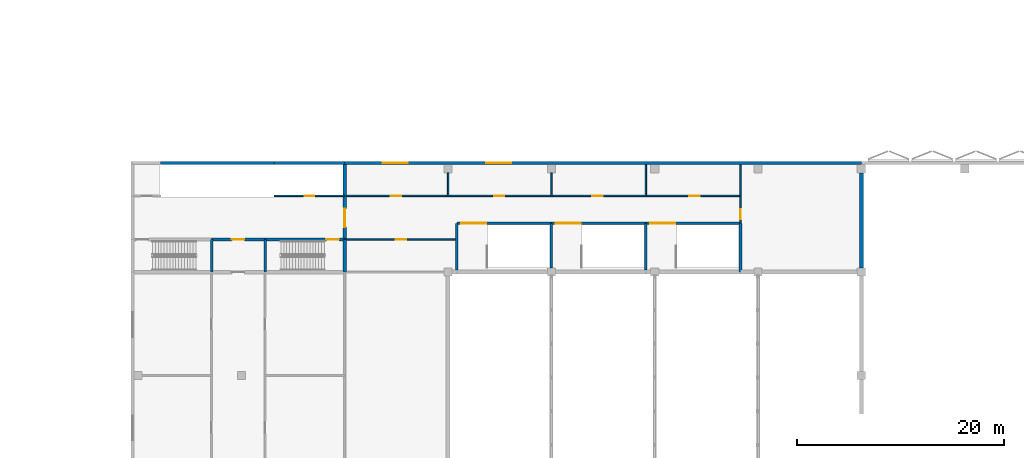
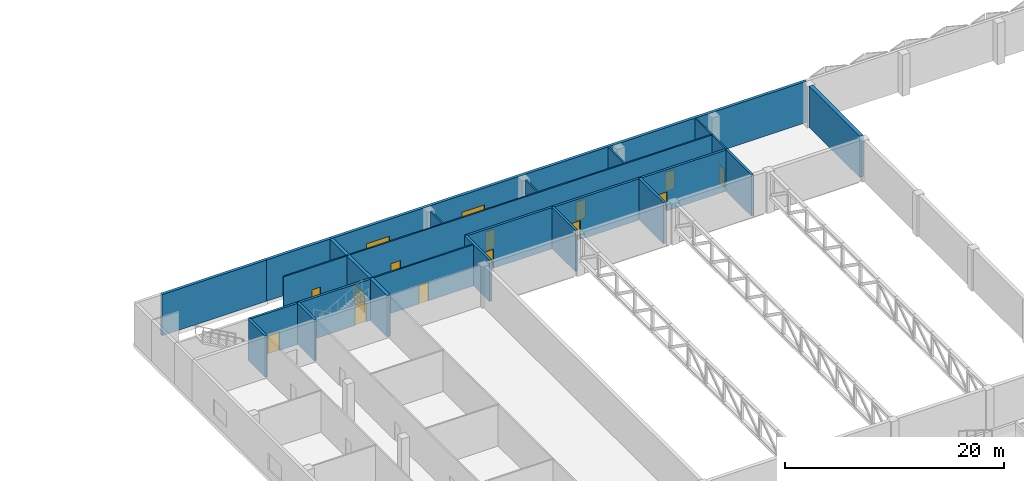
# One storey, part 19 of 36: 25 walls, 13 doors, 2 windows, 15 openings.
"""IFC4 building model written with IfcOpenShell, lengths in metres."""

from ifc_helpers import new_model, si_unit, direction, frame, frame_2d, origin, place, context, subcontext, project, spatial, rectangle, extrude, material, layer, layer_set, type_object, element, fill, save


model = new_model("IFC4")

# Units and contexts
model_context = context("Model", 3, precision=1e-05, world=origin(), true_north=direction((0.0, 1.0)))
body_context = subcontext(model_context, "Body", "Model", "MODEL_VIEW")
ifc_project = project(units=[si_unit("LENGTHUNIT", "METRE"), si_unit("AREAUNIT", "SQUARE_METRE"), si_unit("VOLUMEUNIT", "CUBIC_METRE"), si_unit("PLANEANGLEUNIT", "RADIAN"), si_unit("MASSUNIT", "GRAM", prefix="KILO")], contexts=[model_context])

# Site, building, storey
site_placement = place(None, origin())
site = spatial("IfcSite", under=ifc_project, at=site_placement, CompositionType="ELEMENT")
building_placement = place(site_placement, origin())
building = spatial("IfcBuilding", under=site, at=building_placement, Name="Jabali Bay Hotel Tower and Convention Centre", CompositionType="ELEMENT")
storey_placement = place(building_placement, frame((0.0, 0.0, 20.39990234375)))
storey = spatial("IfcBuildingStorey", under=building, at=storey_placement, Name="L03", CompositionType="ELEMENT", Elevation=20.39990234375)

# Wall
ifc_material_1 = material(Name="Concrete C60", Category="concrete")
ifc_layer_1 = layer(ifc_material_1, 0.35009765625)
ifc_layer_set_1 = layer_set([ifc_layer_1], Name="Concrete C60")
wall_type_1 = type_object("IfcWallType", Name="CC Core Wall 350", PredefinedType="SHEAR", material=ifc_layer_set_1)
wall_1_placement = place(storey_placement, frame((170.699951171875, 100.0, 0.0), z_axis=(0.0, 0.0, 1.0), x_axis=(0.0, 1.0, 0.0)))
element("IfcWall", 1, at=wall_1_placement, inside=storey, type_object=wall_type_1, Name="CC west core wall", PredefinedType="SHEAR", context=body_context, shape_type="SweptSolid", body=[
    extrude(rectangle(XDim=3.14990234375, YDim=0.35009765625, at=frame_2d((1.574951171875, 0.0))), origin(), (0.0, 0.0, 1.0), 4.590087890625),
])

# Wall, opening, door
wall_2_placement = place(storey_placement, frame((170.699951171875, 103.14990234375, 0.0), z_axis=(0.0, 0.0, 1.0), x_axis=(0.0, 1.0, 0.0)))
wall_2 = element("IfcWall", 2, at=wall_2_placement, inside=storey, type_object=wall_type_1, Name="CC west core wall", PredefinedType="SHEAR", context=body_context, shape_type="SweptSolid", body=[
    extrude(rectangle(XDim=7.25, YDim=0.35009765625, at=frame_2d((3.625, 0.0))), origin(), (0.0, 0.0, 1.0), 4.590087890625),
])
opening_1_placement = place(wall_2_placement, frame((1.199951171875, 0.0, 0.0)))
opening_1 = element("IfcOpeningElement", 3, at=opening_1_placement, cuts=wall_2, Name="Opening CC-D067", PredefinedType="OPENING", context=body_context, shape_type="SweptSolid", body=[
    extrude(rectangle(XDim=1.800048828125, YDim=2.10009765625, at=frame_2d((0.89990234375, 1.050048828125))), frame((0.0, 0.185546875, 0.0), z_axis=(0.0, -1.0, 0.0), x_axis=(1.0, 0.0, 0.0)), (0.0, 0.0, 1.0), 0.37109375),
])
ifc_material_2 = material(Name="Timber and steel door set", Category="steel")
door_type_1 = type_object("IfcDoorType", Name="CC Double Door 1800x2100", OperationType="NOTDEFINED", PredefinedType="DOOR", material=ifc_material_2)
door_1_placement = place(opening_1_placement, origin())
door_1 = element("IfcDoor", 4, at=door_1_placement, inside=storey, type_object=door_type_1, Name="CC door CC-D067", OperationType="DOUBLE_DOOR_SINGLE_SWING", OverallHeight=2.10009765625, OverallWidth=1.800048828125, PredefinedType="DOOR", context=body_context, shape_type="SweptSolid", body=[
    extrude(rectangle(XDim=1.800048828125, YDim=2.10009765625, at=frame_2d((0.89990234375, 1.050048828125))), frame((0.0, 0.02490234375, 0.0), z_axis=(0.0, -1.0, 0.0), x_axis=(1.0, 0.0, 0.0)), (0.0, 0.0, 1.0), 0.050048828125),
])
fill(opening_1, door_1)

# Walls
ifc_material_3 = material(Name="Concrete C40", Category="concrete")
ifc_layer_2 = layer(ifc_material_3, 0.300048828125)
ifc_layer_set_2 = layer_set([ifc_layer_2], Name="Concrete C40")
wall_type_2 = type_object("IfcWallType", Name="CC External Wall 300", PredefinedType="SOLIDWALL", material=ifc_layer_set_2)
wall_3_placement = place(storey_placement, frame((163.875, 110.550048828125, 0.0), z_axis=(0.0, 0.0, 1.0), x_axis=(1.0, 0.0, 0.0)))
element("IfcWall", 5, at=wall_3_placement, inside=storey, type_object=wall_type_2, Name="CC wall 168", PredefinedType="SOLIDWALL", context=body_context, shape_type="SweptSolid", body=[
    extrude(rectangle(XDim=6.824951171875, YDim=0.300048828125, at=frame_2d((3.41259765625, 0.0))), origin(), (0.0, 0.0, 1.0), 4.590087890625),
])
wall_4_placement = place(storey_placement, frame((152.875, 110.550048828125, 0.0), z_axis=(0.0, 0.0, 1.0), x_axis=(1.0, 0.0, 0.0)))
element("IfcWall", 6, at=wall_4_placement, inside=storey, type_object=wall_type_2, Name="CC wall 322", PredefinedType="SOLIDWALL", context=body_context, shape_type="SweptSolid", body=[
    extrude(rectangle(XDim=11.0, YDim=0.300048828125, at=frame_2d((5.5, 0.0))), origin(), (0.0, 0.0, 1.0), 4.590087890625),
])

# Wall, openings, windows
wall_5_placement = place(storey_placement, frame((170.699951171875, 110.550048828125, 0.0), z_axis=(0.0, 0.0, 1.0), x_axis=(1.0, 0.0, 0.0)))
wall_5 = element("IfcWall", 7, at=wall_5_placement, inside=storey, type_object=wall_type_2, Name="CC wall 323", PredefinedType="SOLIDWALL", context=body_context, shape_type="SweptSolid", body=[
    extrude(rectangle(XDim=50.0, YDim=0.300048828125, at=frame_2d((25.0, 0.0))), origin(), (0.0, 0.0, 1.0), 4.590087890625),
])
opening_2_placement = place(wall_5_placement, frame((3.699951171875, 0.0, 0.89990234375)))
opening_2 = element("IfcOpeningElement", 8, at=opening_2_placement, cuts=wall_5, Name="Opening CC-W030", PredefinedType="OPENING", context=body_context, shape_type="SweptSolid", body=[
    extrude(rectangle(XDim=2.39990234375, YDim=1.800048828125, at=frame_2d((1.199951171875, 0.89990234375))), frame((0.0, 0.16064453125, 0.0), z_axis=(0.0, -1.0, 0.0), x_axis=(1.0, 0.0, 0.0)), (0.0, 0.0, 1.0), 0.321044921875),
])
opening_3_placement = place(wall_5_placement, frame((13.699951171875, 0.0, 0.89990234375)))
opening_3 = element("IfcOpeningElement", 9, at=opening_3_placement, cuts=wall_5, Name="Opening CC-W031", PredefinedType="OPENING", context=body_context, shape_type="SweptSolid", body=[
    extrude(rectangle(XDim=2.39990234375, YDim=1.800048828125, at=frame_2d((1.199951171875, 0.89990234375))), frame((0.0, 0.16064453125, 0.0), z_axis=(0.0, -1.0, 0.0), x_axis=(1.0, 0.0, 0.0)), (0.0, 0.0, 1.0), 0.321044921875),
])
ifc_material_4 = material(Name="Aluminium 6063-T5 and glass", Category="aluminium")
window_type = type_object("IfcWindowType", Name="CC Window 2400x1800", PartitioningType="DOUBLE_PANEL_VERTICAL", PredefinedType="WINDOW", material=ifc_material_4)
window_1_placement = place(opening_2_placement, origin())
window_1 = element("IfcWindow", 10, at=window_1_placement, inside=storey, type_object=window_type, Name="CC window CC-W030", OverallHeight=1.800048828125, OverallWidth=2.39990234375, PartitioningType="DOUBLE_PANEL_VERTICAL", PredefinedType="WINDOW", context=body_context, shape_type="SweptSolid", body=[
    extrude(rectangle(XDim=2.39990234375, YDim=1.800048828125, at=frame_2d((1.199951171875, 0.89990234375))), frame((0.0, 0.030029296875, 0.0), z_axis=(0.0, -1.0, 0.0), x_axis=(1.0, 0.0, 0.0)), (0.0, 0.0, 1.0), 0.06005859375),
])
fill(opening_2, window_1)
window_2_placement = place(opening_3_placement, origin())
window_2 = element("IfcWindow", 11, at=window_2_placement, inside=storey, type_object=window_type, Name="CC window CC-W031", OverallHeight=1.800048828125, OverallWidth=2.39990234375, PartitioningType="DOUBLE_PANEL_VERTICAL", PredefinedType="WINDOW", context=body_context, shape_type="SweptSolid", body=[
    extrude(rectangle(XDim=2.39990234375, YDim=1.800048828125, at=frame_2d((1.199951171875, 0.89990234375))), frame((0.0, 0.030029296875, 0.0), z_axis=(0.0, -1.0, 0.0), x_axis=(1.0, 0.0, 0.0)), (0.0, 0.0, 1.0), 0.06005859375),
])
fill(opening_3, window_2)

# Wall
ifc_layer_3 = layer(ifc_material_3, 0.39990234375)
ifc_layer_set_3 = layer_set([ifc_layer_3], Name="Concrete C40")
wall_type_3 = type_object("IfcWallType", Name="CC Hall Wall 400", PredefinedType="SHEAR", material=ifc_layer_set_3)
wall_6_placement = place(storey_placement, frame((220.699951171875, 100.39990234375, 0.0), z_axis=(0.0, 0.0, 1.0), x_axis=(0.0, 1.0, 0.0)))
element("IfcWall", 12, at=wall_6_placement, inside=storey, type_object=wall_type_3, Name="CC plenary stage wall", PredefinedType="SHEAR", context=body_context, shape_type="SweptSolid", body=[
    extrude(rectangle(XDim=9.2001953125, YDim=0.39990234375, at=frame_2d((4.60009765625, 0.0))), origin(), (0.0, 0.0, 1.0), 4.590087890625),
])

# Wall, opening, door
ifc_material_5 = material(Name="Blockwork M10", Category="masonry")
ifc_layer_4 = layer(ifc_material_5, 0.14990234375)
ifc_layer_set_4 = layer_set([ifc_layer_4], Name="Blockwork M10")
wall_type_4 = type_object("IfcWallType", Name="CC Partition 150", PredefinedType="PARTITIONING", material=ifc_layer_set_4)
wall_7_placement = place(storey_placement, frame((163.875, 107.375, 0.0), z_axis=(0.0, 0.0, 1.0), x_axis=(1.0, 0.0, 0.0)))
wall_7 = element("IfcWall", 13, at=wall_7_placement, inside=storey, type_object=wall_type_4, Name="CC wall 167", PredefinedType="PARTITIONING", context=body_context, shape_type="SweptSolid", body=[
    extrude(rectangle(XDim=6.824951171875, YDim=0.14990234375, at=frame_2d((3.41259765625, 0.0))), origin(), (0.0, 0.0, 1.0), 4.590087890625),
])
opening_4_placement = place(wall_7_placement, frame((2.949951171875, 0.0, 0.0)))
opening_4 = element("IfcOpeningElement", 14, at=opening_4_placement, cuts=wall_7, Name="Opening CC-D163", PredefinedType="OPENING", context=body_context, shape_type="SweptSolid", body=[
    extrude(rectangle(XDim=0.89990234375, YDim=2.10009765625, at=frame_2d((0.449951171875, 1.050048828125))), frame((0.0, 0.08544921875, 0.0), z_axis=(0.0, -1.0, 0.0), x_axis=(1.0, 0.0, 0.0)), (0.0, 0.0, 1.0), 0.1708984375),
])
door_type_2 = type_object("IfcDoorType", Name="CC Riser Door 900x2100", OperationType="NOTDEFINED", PredefinedType="DOOR", material=ifc_material_2)
door_2_placement = place(opening_4_placement, origin())
door_2 = element("IfcDoor", 15, at=door_2_placement, inside=storey, type_object=door_type_2, Name="CC door CC-D163", OperationType="SINGLE_SWING_LEFT", OverallHeight=2.10009765625, OverallWidth=0.89990234375, PredefinedType="DOOR", context=body_context, shape_type="SweptSolid", body=[
    extrude(rectangle(XDim=0.89990234375, YDim=2.10009765625, at=frame_2d((0.449951171875, 1.050048828125))), frame((0.0, 0.02490234375, 0.0), z_axis=(0.0, -1.0, 0.0), x_axis=(1.0, 0.0, 0.0)), (0.0, 0.0, 1.0), 0.050048828125),
])
fill(opening_4, door_2)

wall_8_placement = place(storey_placement, frame((170.699951171875, 103.14990234375, 0.0), z_axis=(0.0, 0.0, 1.0), x_axis=(1.0, 0.0, 0.0)))
wall_8 = element("IfcWall", 16, at=wall_8_placement, inside=storey, type_object=wall_type_4, Name="CC wall 497", PredefinedType="PARTITIONING", context=body_context, shape_type="SweptSolid", body=[
    extrude(rectangle(XDim=10.85009765625, YDim=0.14990234375, at=frame_2d((5.425048828125, 0.0))), origin(), (0.0, 0.0, 1.0), 4.590087890625),
])
opening_5_placement = place(wall_8_placement, frame((4.949951171875, 0.0, 0.0)))
opening_5 = element("IfcOpeningElement", 17, at=opening_5_placement, cuts=wall_8, Name="Opening CC-D119", PredefinedType="OPENING", context=body_context, shape_type="SweptSolid", body=[
    extrude(rectangle(XDim=1.0, YDim=2.10009765625, at=frame_2d((0.5, 1.050048828125))), frame((0.0, 0.08544921875, 0.0), z_axis=(0.0, -1.0, 0.0), x_axis=(1.0, 0.0, 0.0)), (0.0, 0.0, 1.0), 0.1708984375),
])
door_type_3 = type_object("IfcDoorType", Name="CC Single Door 1000x2100", OperationType="NOTDEFINED", PredefinedType="DOOR", material=ifc_material_2)
door_3_placement = place(opening_5_placement, origin())
door_3 = element("IfcDoor", 18, at=door_3_placement, inside=storey, type_object=door_type_3, Name="CC door CC-D119", OperationType="SINGLE_SWING_LEFT", OverallHeight=2.10009765625, OverallWidth=1.0, PredefinedType="DOOR", context=body_context, shape_type="SweptSolid", body=[
    extrude(rectangle(XDim=1.0, YDim=2.10009765625, at=frame_2d((0.5, 1.050048828125))), frame((0.0, 0.02490234375, 0.0), z_axis=(0.0, -1.0, 0.0), x_axis=(1.0, 0.0, 0.0)), (0.0, 0.0, 1.0), 0.050048828125),
])
fill(opening_5, door_3)

# Wall, openings, doors
wall_9_placement = place(storey_placement, frame((209.0, 107.375, 0.0), z_axis=(0.0, 0.0, 1.0), x_axis=(-1.0, 0.0, 0.0)))
wall_9 = element("IfcWall", 19, at=wall_9_placement, inside=storey, type_object=wall_type_4, Name="CC wall 498", PredefinedType="PARTITIONING", context=body_context, shape_type="SweptSolid", body=[
    extrude(rectangle(XDim=38.300048828125, YDim=0.14990234375, at=frame_2d((19.14990234375, 0.0))), origin(), (0.0, 0.0, 1.0), 4.590087890625),
])
opening_6_placement = place(wall_9_placement, frame((32.85009765625, 0.0, 0.0)))
opening_6 = element("IfcOpeningElement", 20, at=opening_6_placement, cuts=wall_9, Name="Opening CC-D120", PredefinedType="OPENING", context=body_context, shape_type="SweptSolid", body=[
    extrude(rectangle(XDim=1.0, YDim=2.10009765625, at=frame_2d((0.5, 1.050048828125))), frame((0.0, 0.08544921875, 0.0), z_axis=(0.0, -1.0, 0.0), x_axis=(1.0, 0.0, 0.0)), (0.0, 0.0, 1.0), 0.1708984375),
])
opening_7_placement = place(wall_9_placement, frame((22.85009765625, 0.0, 0.0)))
opening_7 = element("IfcOpeningElement", 21, at=opening_7_placement, cuts=wall_9, Name="Opening CC-D121", PredefinedType="OPENING", context=body_context, shape_type="SweptSolid", body=[
    extrude(rectangle(XDim=1.0, YDim=2.10009765625, at=frame_2d((0.5, 1.050048828125))), frame((0.0, 0.08544921875, 0.0), z_axis=(0.0, -1.0, 0.0), x_axis=(1.0, 0.0, 0.0)), (0.0, 0.0, 1.0), 0.1708984375),
])
opening_8_placement = place(wall_9_placement, frame((13.35009765625, 0.0, 0.0)))
opening_8 = element("IfcOpeningElement", 22, at=opening_8_placement, cuts=wall_9, Name="Opening CC-D122", PredefinedType="OPENING", context=body_context, shape_type="SweptSolid", body=[
    extrude(rectangle(XDim=1.0, YDim=2.10009765625, at=frame_2d((0.5, 1.050048828125))), frame((0.0, 0.08544921875, 0.0), z_axis=(0.0, -1.0, 0.0), x_axis=(1.0, 0.0, 0.0)), (0.0, 0.0, 1.0), 0.1708984375),
])
opening_9_placement = place(wall_9_placement, frame((3.949951171875, 0.0, 0.0)))
opening_9 = element("IfcOpeningElement", 23, at=opening_9_placement, cuts=wall_9, Name="Opening CC-D123", PredefinedType="OPENING", context=body_context, shape_type="SweptSolid", body=[
    extrude(rectangle(XDim=1.0, YDim=2.10009765625, at=frame_2d((0.5, 1.050048828125))), frame((0.0, 0.08544921875, 0.0), z_axis=(0.0, -1.0, 0.0), x_axis=(1.0, 0.0, 0.0)), (0.0, 0.0, 1.0), 0.1708984375),
])
door_4_placement = place(opening_6_placement, origin())
door_4 = element("IfcDoor", 24, at=door_4_placement, inside=storey, type_object=door_type_3, Name="CC door CC-D120", OperationType="SINGLE_SWING_RIGHT", OverallHeight=2.10009765625, OverallWidth=1.0, PredefinedType="DOOR", context=body_context, shape_type="SweptSolid", body=[
    extrude(rectangle(XDim=1.0, YDim=2.10009765625, at=frame_2d((0.5, 1.050048828125))), frame((0.0, 0.02490234375, 0.0), z_axis=(0.0, -1.0, 0.0), x_axis=(1.0, 0.0, 0.0)), (0.0, 0.0, 1.0), 0.050048828125),
])
fill(opening_6, door_4)
door_5_placement = place(opening_7_placement, origin())
door_5 = element("IfcDoor", 25, at=door_5_placement, inside=storey, type_object=door_type_3, Name="CC door CC-D121", OperationType="SINGLE_SWING_LEFT", OverallHeight=2.10009765625, OverallWidth=1.0, PredefinedType="DOOR", context=body_context, shape_type="SweptSolid", body=[
    extrude(rectangle(XDim=1.0, YDim=2.10009765625, at=frame_2d((0.5, 1.050048828125))), frame((0.0, 0.02490234375, 0.0), z_axis=(0.0, -1.0, 0.0), x_axis=(1.0, 0.0, 0.0)), (0.0, 0.0, 1.0), 0.050048828125),
])
fill(opening_7, door_5)
door_6_placement = place(opening_8_placement, origin())
door_6 = element("IfcDoor", 26, at=door_6_placement, inside=storey, type_object=door_type_3, Name="CC door CC-D122", OperationType="SINGLE_SWING_RIGHT", OverallHeight=2.10009765625, OverallWidth=1.0, PredefinedType="DOOR", context=body_context, shape_type="SweptSolid", body=[
    extrude(rectangle(XDim=1.0, YDim=2.10009765625, at=frame_2d((0.5, 1.050048828125))), frame((0.0, 0.02490234375, 0.0), z_axis=(0.0, -1.0, 0.0), x_axis=(1.0, 0.0, 0.0)), (0.0, 0.0, 1.0), 0.050048828125),
])
fill(opening_8, door_6)
door_7_placement = place(opening_9_placement, origin())
door_7 = element("IfcDoor", 27, at=door_7_placement, inside=storey, type_object=door_type_3, Name="CC door CC-D123", OperationType="SINGLE_SWING_LEFT", OverallHeight=2.10009765625, OverallWidth=1.0, PredefinedType="DOOR", context=body_context, shape_type="SweptSolid", body=[
    extrude(rectangle(XDim=1.0, YDim=2.10009765625, at=frame_2d((0.5, 1.050048828125))), frame((0.0, 0.02490234375, 0.0), z_axis=(0.0, -1.0, 0.0), x_axis=(1.0, 0.0, 0.0)), (0.0, 0.0, 1.0), 0.050048828125),
])
fill(opening_9, door_7)

# Wall, opening, door
wall_10_placement = place(storey_placement, frame((209.0, 104.72509765625, 0.0), z_axis=(0.0, 0.0, 1.0), x_axis=(0.0, 1.0, 0.0)))
wall_10 = element("IfcWall", 28, at=wall_10_placement, inside=storey, type_object=wall_type_4, Name="CC wall 499", PredefinedType="PARTITIONING", context=body_context, shape_type="SweptSolid", body=[
    extrude(rectangle(XDim=2.64990234375, YDim=0.14990234375, at=frame_2d((1.324951171875, 0.0))), origin(), (0.0, 0.0, 1.0), 4.590087890625),
])
opening_10_placement = place(wall_10_placement, frame((0.375, 0.0, 0.0)))
opening_10 = element("IfcOpeningElement", 29, at=opening_10_placement, cuts=wall_10, Name="Opening CC-D124", PredefinedType="OPENING", context=body_context, shape_type="SweptSolid", body=[
    extrude(rectangle(XDim=1.0, YDim=2.10009765625, at=frame_2d((0.5, 1.050048828125))), frame((0.0, 0.08544921875, 0.0), z_axis=(0.0, -1.0, 0.0), x_axis=(1.0, 0.0, 0.0)), (0.0, 0.0, 1.0), 0.1708984375),
])
door_type_4 = type_object("IfcDoorType", Name="CC Plant Room Door 1000x2100", OperationType="NOTDEFINED", PredefinedType="DOOR", material=ifc_material_2)
door_8_placement = place(opening_10_placement, origin())
door_8 = element("IfcDoor", 30, at=door_8_placement, inside=storey, type_object=door_type_4, Name="CC door CC-D124", OperationType="SINGLE_SWING_RIGHT", OverallHeight=2.10009765625, OverallWidth=1.0, PredefinedType="DOOR", context=body_context, shape_type="SweptSolid", body=[
    extrude(rectangle(XDim=1.0, YDim=2.10009765625, at=frame_2d((0.5, 1.050048828125))), frame((0.0, 0.02490234375, 0.0), z_axis=(0.0, -1.0, 0.0), x_axis=(1.0, 0.0, 0.0)), (0.0, 0.0, 1.0), 0.050048828125),
])
fill(opening_10, door_8)

# Walls
for number, where, z_axis, x_axis, name in (
    (31, (180.699951171875, 107.375, 0.0), (0.0, 0.0, 1.0), (0.0, 1.0, 0.0), "CC wall 500"),
    (32, (190.699951171875, 107.375, 0.0), (0.0, 0.0, 1.0), (0.0, 1.0, 0.0), "CC wall 501"),
):
    element("IfcWall", number, at=place(storey_placement, frame(where, z_axis=z_axis, x_axis=x_axis)), inside=storey, type_object=wall_type_4, Name=name, PredefinedType="PARTITIONING", context=body_context, shape_type="SweptSolid", body=[
        extrude(rectangle(XDim=2.22509765625, YDim=0.14990234375, at=frame_2d((1.112548828125, 0.0))), origin(), (0.0, 0.0, 1.0), 4.590087890625),
    ])
for number, where, z_axis, x_axis, name in (
    (33, (199.85009765625, 107.375, 0.0), (0.0, 0.0, 1.0), (0.0, 1.0, 0.0), "CC wall 502"),
    (34, (209.0, 107.375, 0.0), (0.0, 0.0, 1.0), (0.0, 1.0, 0.0), "CC wall 503"),
):
    element("IfcWall", number, at=place(storey_placement, frame(where, z_axis=z_axis, x_axis=x_axis)), inside=storey, type_object=wall_type_4, Name=name, PredefinedType="PARTITIONING", context=body_context, shape_type="SweptSolid", body=[
        extrude(rectangle(XDim=3.02490234375, YDim=0.14990234375, at=frame_2d((1.512451171875, 0.0))), origin(), (0.0, 0.0, 1.0), 4.590087890625),
    ])

# Wall, opening, door
ifc_layer_5 = layer(ifc_material_3, 0.25)
ifc_layer_set_5 = layer_set([ifc_layer_5], Name="Concrete C40")
wall_type_5 = type_object("IfcWallType", Name="CC Shaft Wall 250", PredefinedType="SHEAR", material=ifc_layer_set_5)
wall_11_placement = place(storey_placement, frame((157.824951171875, 103.14990234375, 0.0), z_axis=(0.0, 0.0, 1.0), x_axis=(1.0, 0.0, 0.0)))
wall_11 = element("IfcWall", 35, at=wall_11_placement, inside=storey, type_object=wall_type_5, Name="CC west core wall", PredefinedType="SHEAR", context=body_context, shape_type="SweptSolid", body=[
    extrude(rectangle(XDim=5.175048828125, YDim=0.25, at=frame_2d((2.58740234375, 0.0))), origin(), (0.0, 0.0, 1.0), 4.590087890625),
])
opening_11_placement = place(wall_11_placement, frame((1.949951171875, 0.0, 0.0)))
opening_11 = element("IfcOpeningElement", 36, at=opening_11_placement, cuts=wall_11, Name="Opening CC-D157", PredefinedType="OPENING", context=body_context, shape_type="SweptSolid", body=[
    extrude(rectangle(XDim=1.199951171875, YDim=2.10009765625, at=frame_2d((0.60009765625, 1.050048828125))), frame((0.0, 0.135498046875, 0.0), z_axis=(0.0, -1.0, 0.0), x_axis=(1.0, 0.0, 0.0)), (0.0, 0.0, 1.0), 0.27099609375),
])
door_type_5 = type_object("IfcDoorType", Name="CC Vestibule Door 1200x2100", OperationType="NOTDEFINED", PredefinedType="DOOR", material=ifc_material_2)
door_9_placement = place(opening_11_placement, origin())
door_9 = element("IfcDoor", 37, at=door_9_placement, inside=storey, type_object=door_type_5, Name="CC door CC-D157", OperationType="SINGLE_SWING_LEFT", OverallHeight=2.10009765625, OverallWidth=1.199951171875, PredefinedType="DOOR", context=body_context, shape_type="SweptSolid", body=[
    extrude(rectangle(XDim=1.199951171875, YDim=2.10009765625, at=frame_2d((0.60009765625, 1.050048828125))), frame((0.0, 0.02490234375, 0.0), z_axis=(0.0, -1.0, 0.0), x_axis=(1.0, 0.0, 0.0)), (0.0, 0.0, 1.0), 0.050048828125),
])
fill(opening_11, door_9)

wall_12_placement = place(storey_placement, frame((163.0, 103.14990234375, 0.0), z_axis=(0.0, 0.0, 1.0), x_axis=(1.0, 0.0, 0.0)))
wall_12 = element("IfcWall", 38, at=wall_12_placement, inside=storey, type_object=wall_type_5, Name="CC west core wall", PredefinedType="SHEAR", context=body_context, shape_type="SweptSolid", body=[
    extrude(rectangle(XDim=7.699951171875, YDim=0.25, at=frame_2d((3.85009765625, 0.0))), origin(), (0.0, 0.0, 1.0), 4.590087890625),
])
opening_12_placement = place(wall_12_placement, frame((5.925048828125, 0.0, 0.0)))
opening_12 = element("IfcOpeningElement", 39, at=opening_12_placement, cuts=wall_12, Name="Opening CC-D156", PredefinedType="OPENING", context=body_context, shape_type="SweptSolid", body=[
    extrude(rectangle(XDim=1.199951171875, YDim=2.10009765625, at=frame_2d((0.60009765625, 1.050048828125))), frame((0.0, 0.135498046875, 0.0), z_axis=(0.0, -1.0, 0.0), x_axis=(1.0, 0.0, 0.0)), (0.0, 0.0, 1.0), 0.27099609375),
])
door_type_6 = type_object("IfcDoorType", Name="CC Stair Door 1200x2100", OperationType="NOTDEFINED", PredefinedType="DOOR", material=ifc_material_2)
door_10_placement = place(opening_12_placement, origin())
door_10 = element("IfcDoor", 40, at=door_10_placement, inside=storey, type_object=door_type_6, Name="CC door CC-D156", OperationType="SINGLE_SWING_RIGHT", OverallHeight=2.10009765625, OverallWidth=1.199951171875, PredefinedType="DOOR", context=body_context, shape_type="SweptSolid", body=[
    extrude(rectangle(XDim=1.199951171875, YDim=2.10009765625, at=frame_2d((0.60009765625, 1.050048828125))), frame((0.0, 0.02490234375, 0.0), z_axis=(0.0, -1.0, 0.0), x_axis=(1.0, 0.0, 0.0)), (0.0, 0.0, 1.0), 0.050048828125),
])
fill(opening_12, door_10)

# Walls
for number, where, z_axis, x_axis, name in (
    (41, (157.824951171875, 100.0, 0.0), (0.0, 0.0, 1.0), (0.0, 1.0, 0.0), "CC west core wall"),
    (42, (163.0, 100.0, 0.0), (0.0, 0.0, 1.0), (0.0, 1.0, 0.0), "CC west core wall"),
):
    element("IfcWall", number, at=place(storey_placement, frame(where, z_axis=z_axis, x_axis=x_axis)), inside=storey, type_object=wall_type_5, Name=name, PredefinedType="SHEAR", context=body_context, shape_type="SweptSolid", body=[
        extrude(rectangle(XDim=3.14990234375, YDim=0.25, at=frame_2d((1.574951171875, 0.0))), origin(), (0.0, 0.0, 1.0), 4.590087890625),
    ])

# Wall, opening, door
wall_13_placement = place(storey_placement, frame((181.550048828125, 104.72509765625, 0.0), z_axis=(0.0, 0.0, 1.0), x_axis=(1.0, 0.0, 0.0)))
wall_13 = element("IfcWall", 43, at=wall_13_placement, inside=storey, type_object=wall_type_5, Name="CC wall 490", PredefinedType="SHEAR", context=body_context, shape_type="SweptSolid", body=[
    extrude(rectangle(XDim=9.14990234375, YDim=0.25, at=frame_2d((4.574951171875, 0.0))), origin(), (0.0, 0.0, 1.0), 4.590087890625),
])
opening_13_placement = place(wall_13_placement, frame((0.425048828125, 0.0, 0.0)))
opening_13 = element("IfcOpeningElement", 44, at=opening_13_placement, cuts=wall_13, Name="Opening CC-D234", PredefinedType="OPENING", context=body_context, shape_type="SweptSolid", body=[
    extrude(rectangle(XDim=2.39990234375, YDim=2.10009765625, at=frame_2d((1.199951171875, 1.050048828125))), frame((0.0, 0.135498046875, 0.0), z_axis=(0.0, -1.0, 0.0), x_axis=(1.0, 0.0, 0.0)), (0.0, 0.0, 1.0), 0.27099609375),
])
door_type_7 = type_object("IfcDoorType", Name="CC Stair Door Pair 2400x2100", OperationType="NOTDEFINED", PredefinedType="DOOR", material=ifc_material_2)
door_11_placement = place(opening_13_placement, origin())
door_11 = element("IfcDoor", 45, at=door_11_placement, inside=storey, type_object=door_type_7, Name="CC door CC-D234", OperationType="DOUBLE_DOOR_SINGLE_SWING", OverallHeight=2.10009765625, OverallWidth=2.39990234375, PredefinedType="DOOR", context=body_context, shape_type="SweptSolid", body=[
    extrude(rectangle(XDim=2.39990234375, YDim=2.10009765625, at=frame_2d((1.199951171875, 1.050048828125))), frame((0.0, 0.02490234375, 0.0), z_axis=(0.0, -1.0, 0.0), x_axis=(1.0, 0.0, 0.0)), (0.0, 0.0, 1.0), 0.050048828125),
])
fill(opening_13, door_11)

# Walls
wall_14_placement = place(storey_placement, frame((181.550048828125, 100.199951171875, 0.0), z_axis=(0.0, 0.0, 1.0), x_axis=(0.0, 1.0, 0.0)))
element("IfcWall", 46, at=wall_14_placement, inside=storey, type_object=wall_type_5, Name="CC wall 491", PredefinedType="SHEAR", context=body_context, shape_type="SweptSolid", body=[
    extrude(rectangle(XDim=4.525146484375, YDim=0.25, at=frame_2d((2.2626953125, 0.0))), origin(), (0.0, 0.0, 1.0), 4.590087890625),
])
wall_15_placement = place(storey_placement, frame((190.699951171875, 100.39990234375, 0.0), z_axis=(0.0, 0.0, 1.0), x_axis=(0.0, 1.0, 0.0)))
element("IfcWall", 47, at=wall_15_placement, inside=storey, type_object=wall_type_5, Name="CC wall 492", PredefinedType="SHEAR", context=body_context, shape_type="SweptSolid", body=[
    extrude(rectangle(XDim=4.3251953125, YDim=0.25, at=frame_2d((2.16259765625, 0.0))), origin(), (0.0, 0.0, 1.0), 4.590087890625),
])

# Wall, opening, door
wall_16_placement = place(storey_placement, frame((190.699951171875, 104.72509765625, 0.0), z_axis=(0.0, 0.0, 1.0), x_axis=(1.0, 0.0, 0.0)))
wall_16 = element("IfcWall", 48, at=wall_16_placement, inside=storey, type_object=wall_type_5, Name="CC wall 493", PredefinedType="SHEAR", context=body_context, shape_type="SweptSolid", body=[
    extrude(rectangle(XDim=9.150146484375, YDim=0.25, at=frame_2d((4.5751953125, 0.0))), origin(), (0.0, 0.0, 1.0), 4.590087890625),
])
opening_14_placement = place(wall_16_placement, frame((0.425048828125, 0.0, 0.0)))
opening_14 = element("IfcOpeningElement", 49, at=opening_14_placement, cuts=wall_16, Name="Opening CC-D238", PredefinedType="OPENING", context=body_context, shape_type="SweptSolid", body=[
    extrude(rectangle(XDim=2.39990234375, YDim=2.10009765625, at=frame_2d((1.199951171875, 1.050048828125))), frame((0.0, 0.135498046875, 0.0), z_axis=(0.0, -1.0, 0.0), x_axis=(1.0, 0.0, 0.0)), (0.0, 0.0, 1.0), 0.27099609375),
])
door_12_placement = place(opening_14_placement, origin())
door_12 = element("IfcDoor", 50, at=door_12_placement, inside=storey, type_object=door_type_7, Name="CC door CC-D238", OperationType="DOUBLE_DOOR_SINGLE_SWING", OverallHeight=2.10009765625, OverallWidth=2.39990234375, PredefinedType="DOOR", context=body_context, shape_type="SweptSolid", body=[
    extrude(rectangle(XDim=2.39990234375, YDim=2.10009765625, at=frame_2d((1.199951171875, 1.050048828125))), frame((0.0, 0.02490234375, 0.0), z_axis=(0.0, -1.0, 0.0), x_axis=(1.0, 0.0, 0.0)), (0.0, 0.0, 1.0), 0.050048828125),
])
fill(opening_14, door_12)

# Wall
wall_17_placement = place(storey_placement, frame((199.85009765625, 100.199951171875, 0.0), z_axis=(0.0, 0.0, 1.0), x_axis=(0.0, 1.0, 0.0)))
element("IfcWall", 51, at=wall_17_placement, inside=storey, type_object=wall_type_5, Name="CC wall 494", PredefinedType="SHEAR", context=body_context, shape_type="SweptSolid", body=[
    extrude(rectangle(XDim=4.525146484375, YDim=0.25, at=frame_2d((2.2626953125, 0.0))), origin(), (0.0, 0.0, 1.0), 4.590087890625),
])

# Wall, opening, door
wall_18_placement = place(storey_placement, frame((199.85009765625, 104.72509765625, 0.0), z_axis=(0.0, 0.0, 1.0), x_axis=(1.0, 0.0, 0.0)))
wall_18 = element("IfcWall", 52, at=wall_18_placement, inside=storey, type_object=wall_type_5, Name="CC wall 495", PredefinedType="SHEAR", context=body_context, shape_type="SweptSolid", body=[
    extrude(rectangle(XDim=9.14990234375, YDim=0.25, at=frame_2d((4.574951171875, 0.0))), origin(), (0.0, 0.0, 1.0), 4.590087890625),
])
opening_15_placement = place(wall_18_placement, frame((0.425048828125, 0.0, 0.0)))
opening_15 = element("IfcOpeningElement", 53, at=opening_15_placement, cuts=wall_18, Name="Opening CC-D242", PredefinedType="OPENING", context=body_context, shape_type="SweptSolid", body=[
    extrude(rectangle(XDim=2.39990234375, YDim=2.10009765625, at=frame_2d((1.199951171875, 1.050048828125))), frame((0.0, 0.135498046875, 0.0), z_axis=(0.0, -1.0, 0.0), x_axis=(1.0, 0.0, 0.0)), (0.0, 0.0, 1.0), 0.27099609375),
])
door_13_placement = place(opening_15_placement, origin())
door_13 = element("IfcDoor", 54, at=door_13_placement, inside=storey, type_object=door_type_7, Name="CC door CC-D242", OperationType="DOUBLE_DOOR_SINGLE_SWING", OverallHeight=2.10009765625, OverallWidth=2.39990234375, PredefinedType="DOOR", context=body_context, shape_type="SweptSolid", body=[
    extrude(rectangle(XDim=2.39990234375, YDim=2.10009765625, at=frame_2d((1.199951171875, 1.050048828125))), frame((0.0, 0.02490234375, 0.0), z_axis=(0.0, -1.0, 0.0), x_axis=(1.0, 0.0, 0.0)), (0.0, 0.0, 1.0), 0.050048828125),
])
fill(opening_15, door_13)

# Wall
wall_19_placement = place(storey_placement, frame((209.0, 100.0, 0.0), z_axis=(0.0, 0.0, 1.0), x_axis=(0.0, 1.0, 0.0)))
element("IfcWall", 55, at=wall_19_placement, inside=storey, type_object=wall_type_5, Name="CC wall 496", PredefinedType="SHEAR", context=body_context, shape_type="SweptSolid", body=[
    extrude(rectangle(XDim=4.72509765625, YDim=0.25, at=frame_2d((2.362548828125, 0.0))), origin(), (0.0, 0.0, 1.0), 4.590087890625),
])

save(model, "model.ifc")
